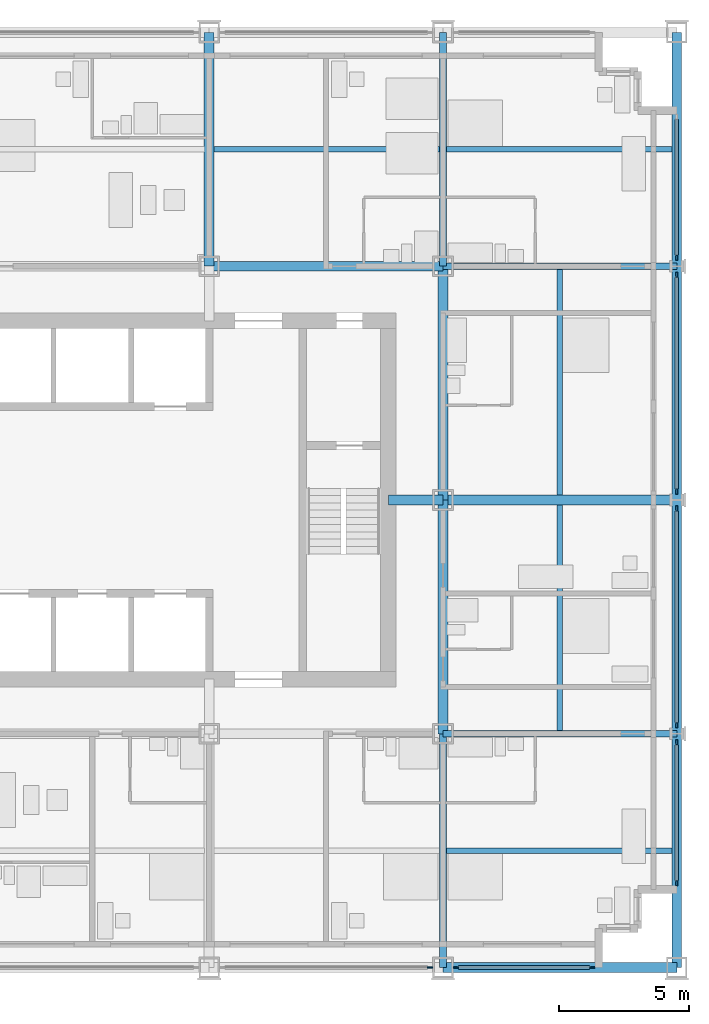
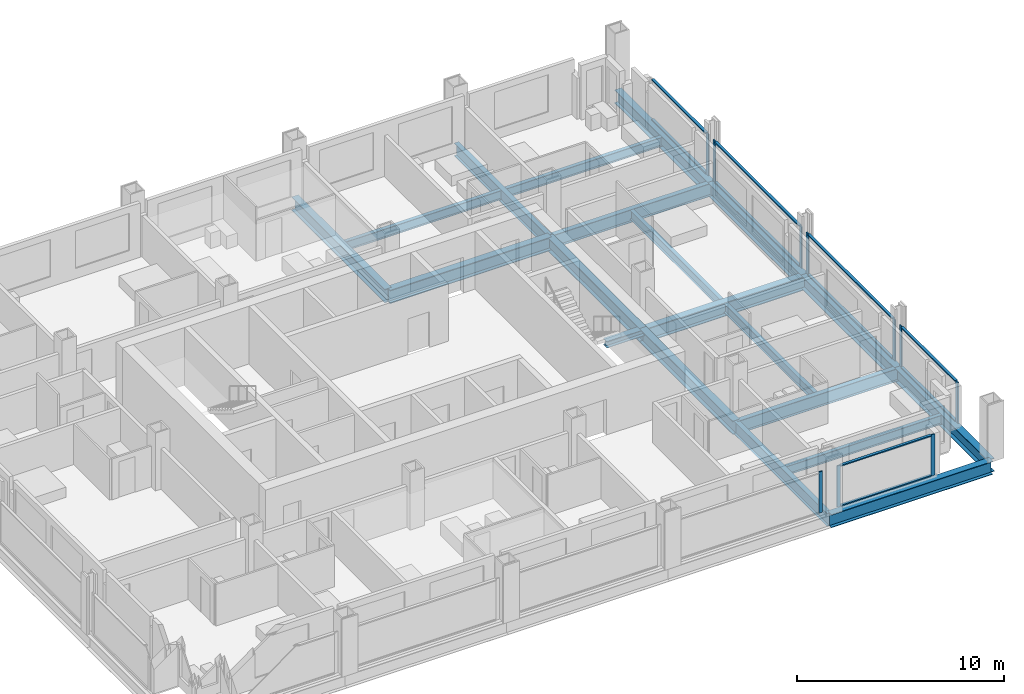
# One storey, part 5 of 16: 21 members, 19 beams, 6 elements without a shape of their own.
"""IFC4 building model written with IfcOpenShell, lengths in metres."""

from ifc_helpers import new_model, si_unit, direction, frame, origin, origin_2d, place, context, subcontext, project, spatial, rectangle, i_section, extrude, material, material_profile, profile_set, type_object, element, aggregate, save


model = new_model("IFC4")

# Units and contexts
model_context = context("Model", 3, precision=1e-05, world=origin(), true_north=direction((0.0, 1.0)))
body_context = subcontext(model_context, "Body", "Model", "MODEL_VIEW")
ifc_project = project(units=[si_unit("LENGTHUNIT", "METRE"), si_unit("AREAUNIT", "SQUARE_METRE"), si_unit("VOLUMEUNIT", "CUBIC_METRE"), si_unit("PLANEANGLEUNIT", "RADIAN"), si_unit("MASSUNIT", "GRAM", prefix="KILO")], contexts=[model_context])

# Site, building, storey
site_placement = place(None, origin())
site = spatial("IfcSite", under=ifc_project, at=site_placement, CompositionType="ELEMENT")
building_placement = place(site_placement, origin())
building = spatial("IfcBuilding", under=site, at=building_placement, Name="Loomwork Tower", CompositionType="ELEMENT")
storey_placement = place(building_placement, frame((0.0, 0.0, 118.0)))
storey = spatial("IfcBuildingStorey", under=building, at=storey_placement, Name="L31", CompositionType="ELEMENT", Elevation=118.0)

# Beams
ifc_material_1 = material(Name="Steel ASTM A992", Category="steel")
ifc_material_profile_1 = material_profile(ifc_material_1, i_section(OverallWidth=0.383544921875, OverallDepth=0.794921875, WebThickness=0.02099609375, FlangeThickness=0.0380859375, at=origin_2d()), Name="W30x235")
ifc_profile_set_1 = profile_set([ifc_material_profile_1], Name="Steel ASTM A992")
beam_type_1 = type_object("IfcBeamType", Name="CORE FLANK GIRDER W30x235", PredefinedType="BEAM", material=ifc_profile_set_1)
for number, where, z_axis, x_axis, name in (
    (1, (36.0, 18.0, -0.597412109375), (1.0, 0.0, 0.0), (0.0, 1.0, 0.0), "Core Flank Girder F/6-F/7 L31"),
    (2, (27.0, 27.0, -0.597412109375), (1.0, 0.0, 0.0), (0.0, 1.0, 0.0), "Core Flank Girder G/5-G/6 L31"),
    (3, (27.0, 27.0, -0.597412109375), (0.0, 1.0, 0.0), (-1.0, 0.0, 0.0), "Core Flank Girder G/5-H/5 L31"),
    (4, (36.0, 9.0, -0.597412109375), (0.0, 1.0, 0.0), (-1.0, 0.0, 0.0), "Core Flank Girder E/6-F/6 L31"),
    (5, (36.0, 18.0, -0.597412109375), (0.0, 1.0, 0.0), (-1.0, 0.0, 0.0), "Core Flank Girder F/6-G/6 L31"),
):
    element("IfcBeam", number, at=place(storey_placement, frame(where, z_axis=z_axis, x_axis=x_axis)), inside=storey, type_object=beam_type_1, Name=name, PredefinedType="BEAM", context=body_context, shape_type="SweptSolid", body=[
        extrude(i_section(OverallWidth=0.383544921875, OverallDepth=0.794921875, WebThickness=0.02099609375, FlangeThickness=0.0380859375, at=origin_2d()), origin(), (0.0, 0.0, 1.0), 9.0),
    ])

# Member
ifc_material_2 = material(Name="Steel ASTM A992", Category="steel")
ifc_material_profile_2 = material_profile(ifc_material_2, i_section(OverallWidth=0.373291015625, OverallDepth=0.373291015625, WebThickness=0.016357421875, FlangeThickness=0.026123046875, at=origin_2d()), Name="W14x132")
ifc_profile_set_2 = profile_set([ifc_material_profile_2], Name="Steel ASTM A992")
member_type_1 = type_object("IfcMemberType", Name="CORE LINK STRUT W14x132", PredefinedType="STRUT", material=ifc_profile_set_2)
member_1_placement = place(storey_placement, frame((36.0, 18.0, -0.38671875), z_axis=(-1.0, 0.0, 0.0), x_axis=(0.0, -1.0, 0.0)))
element("IfcMember", 6, at=member_1_placement, inside=storey, type_object=member_type_1, Name="Core link strut F/6-33.900,18.000 L31", PredefinedType="STRUT", context=body_context, shape_type="SweptSolid", body=[
    extrude(i_section(OverallWidth=0.373291015625, OverallDepth=0.373291015625, WebThickness=0.016357421875, FlangeThickness=0.026123046875, at=origin_2d()), origin(), (0.0, 0.0, 1.0), 2.10009765625),
])

# Beams
ifc_material_3 = material(Name="Steel ASTM A992", Category="steel")
ifc_material_profile_3 = material_profile(ifc_material_3, i_section(OverallWidth=0.2666015625, OverallDepth=0.761962890625, WebThickness=0.014404296875, FlangeThickness=0.021484375, at=origin_2d()), Name="W30x116")
ifc_profile_set_3 = profile_set([ifc_material_profile_3], Name="Steel ASTM A992")
beam_type_2 = type_object("IfcBeamType", Name="FLOOR GIRDER W30x116", PredefinedType="BEAM", material=ifc_profile_set_3)
for number, where, z_axis, x_axis, name in (
    (7, (36.0, 9.0, -0.5810546875), (1.0, 0.0, 0.0), (0.0, 1.0, 0.0), "Floor Girder E/6-E/7 L31"),
    (8, (36.0, 27.0, -0.5810546875), (1.0, 0.0, 0.0), (0.0, 1.0, 0.0), "Floor Girder G/6-G/7 L31"),
    (9, (36.0, 0.0, -0.5810546875), (0.0, 1.0, 0.0), (-1.0, 0.0, 0.0), "Floor Girder D/6-E/6 L31"),
    (10, (36.0, 27.0, -0.5810546875), (0.0, 1.0, 0.0), (-1.0, 0.0, 0.0), "Floor Girder G/6-H/6 L31"),
):
    element("IfcBeam", number, at=place(storey_placement, frame(where, z_axis=z_axis, x_axis=x_axis)), inside=storey, type_object=beam_type_2, Name=name, PredefinedType="BEAM", context=body_context, shape_type="SweptSolid", body=[
        extrude(i_section(OverallWidth=0.2666015625, OverallDepth=0.761962890625, WebThickness=0.014404296875, FlangeThickness=0.021484375, at=origin_2d()), origin(), (0.0, 0.0, 1.0), 9.0),
    ])
ifc_material_4 = material(Name="Steel ASTM A992", Category="steel")
ifc_material_profile_4 = material_profile(ifc_material_4, i_section(OverallWidth=0.2109375, OverallDepth=0.53857421875, WebThickness=0.011474609375, FlangeThickness=0.018798828125, at=origin_2d()), Name="W21x73")
ifc_profile_set_4 = profile_set([ifc_material_profile_4], Name="Steel ASTM A992")
beam_type_3 = type_object("IfcBeamType", Name="FLOOR JOIST W21x73", PredefinedType="JOIST", material=ifc_profile_set_4)
beam_1_placement = place(storey_placement, frame((27.19091796875, 31.5, -0.46923828125), z_axis=(1.0, 0.0, 0.0), x_axis=(0.0, 1.0, 0.0)))
element("IfcBeam", 11, at=beam_1_placement, inside=storey, type_object=beam_type_3, Name="Floor Joist 27.000,31.500-36.000,31.500 L31", PredefinedType="JOIST", context=body_context, shape_type="SweptSolid", body=[
    extrude(i_section(OverallWidth=0.2109375, OverallDepth=0.53857421875, WebThickness=0.011474609375, FlangeThickness=0.018798828125, at=origin_2d()), origin(), (0.0, 0.0, 1.0), 8.676025390625),
])
beam_2_placement = place(storey_placement, frame((36.133056640625, 4.5, -0.46923828125), z_axis=(1.0, 0.0, 0.0), x_axis=(0.0, 1.0, 0.0)))
element("IfcBeam", 12, at=beam_2_placement, inside=storey, type_object=beam_type_3, Name="Floor Joist 36.000,4.500-45.000,4.500 L31", PredefinedType="JOIST", context=body_context, shape_type="SweptSolid", body=[
    extrude(i_section(OverallWidth=0.2109375, OverallDepth=0.53857421875, WebThickness=0.011474609375, FlangeThickness=0.018798828125, at=origin_2d()), origin(), (0.0, 0.0, 1.0), 8.677001953125),
])
for number, where, z_axis, x_axis, name in (
    (13, (40.5, 9.133056640625, -0.46923828125), (0.0, 1.0, 0.0), (-1.0, 0.0, 0.0), "Floor Joist 40.500,9.000-40.500,18.000 L31"),
    (14, (40.5, 18.19091796875, -0.46923828125), (0.0, 1.0, 0.0), (-1.0, 0.0, 0.0), "Floor Joist 40.500,18.000-40.500,27.000 L31"),
):
    element("IfcBeam", number, at=place(storey_placement, frame(where, z_axis=z_axis, x_axis=x_axis)), inside=storey, type_object=beam_type_3, Name=name, PredefinedType="JOIST", context=body_context, shape_type="SweptSolid", body=[
        extrude(i_section(OverallWidth=0.2109375, OverallDepth=0.53857421875, WebThickness=0.011474609375, FlangeThickness=0.018798828125, at=origin_2d()), origin(), (0.0, 0.0, 1.0), 8.676025390625),
    ])
beam_3_placement = place(storey_placement, frame((36.133056640625, 31.5, -0.46923828125), z_axis=(1.0, 0.0, 0.0), x_axis=(0.0, 1.0, 0.0)))
element("IfcBeam", 15, at=beam_3_placement, inside=storey, type_object=beam_type_3, Name="Floor Joist 36.000,31.500-45.000,31.500 L31", PredefinedType="JOIST", context=body_context, shape_type="SweptSolid", body=[
    extrude(i_section(OverallWidth=0.2109375, OverallDepth=0.53857421875, WebThickness=0.011474609375, FlangeThickness=0.018798828125, at=origin_2d()), origin(), (0.0, 0.0, 1.0), 8.677001953125),
])

# Curtain wall, member
ifc_material_5 = material(Name="Aluminium curtain wall frame", Category="aluminium")
curtain_wall_type = type_object("IfcCurtainWallType", Name="Outer skin glazing hotel", PredefinedType="NOTDEFINED", material=ifc_material_5)
curtain_wall_1_placement = place(storey_placement, origin())
curtain_wall_1 = element("IfcCurtainWall", 16, at=curtain_wall_1_placement, inside=storey, type_object=curtain_wall_type, Name="Outer skin glazing hotel cw/S-27", PredefinedType="NOTDEFINED")
ifc_material_6 = material(Name="Aluminium curtain wall frame", Category="aluminium")
ifc_material_profile_5 = material_profile(ifc_material_6, rectangle(XDim=0.06494140625, YDim=0.199951171875, at=origin_2d()), Name="AL 65x200")
ifc_profile_set_5 = profile_set([ifc_material_profile_5], Name="Aluminium curtain wall frame")
member_type_2 = type_object("IfcMemberType", Name="Outer skin glazing hotel mullion", PredefinedType="MULLION", material=ifc_profile_set_5)
member_2_placement = place(storey_placement, frame((35.5, 0.0, 0.0), z_axis=(0.0, 0.0, 1.0), x_axis=(0.0, 1.0, 0.0)))
member_2 = element("IfcMember", 17, at=member_2_placement, type_object=member_type_2, Name="CW1 mullion 2", PredefinedType="MULLION", context=body_context, shape_type="SweptSolid", body=[
    extrude(rectangle(XDim=0.06494140625, YDim=0.199951171875, at=origin_2d()), origin(), (0.0, 0.0, 1.0), 2.420166015625),
])
aggregate(curtain_wall_1, [member_2])

# Curtain wall, members
curtain_wall_2_placement = place(storey_placement, origin())
curtain_wall_2 = element("IfcCurtainWall", 18, at=curtain_wall_2_placement, inside=storey, type_object=curtain_wall_type, Name="Outer skin glazing hotel cw/S-36", PredefinedType="NOTDEFINED")
member_3_placement = place(storey_placement, frame((36.5, 0.0, 0.0), z_axis=(0.0, 0.0, 1.0), x_axis=(0.0, 1.0, 0.0)))
member_3 = element("IfcMember", 19, at=member_3_placement, type_object=member_type_2, Name="CW1 mullion 1", PredefinedType="MULLION", context=body_context, shape_type="SweptSolid", body=[
    extrude(rectangle(XDim=0.06494140625, YDim=0.199951171875, at=origin_2d()), origin(), (0.0, 0.0, 1.0), 2.420166015625),
])
member_4_placement = place(storey_placement, frame((41.75, 0.0, 0.0), z_axis=(0.0, 0.0, 1.0), x_axis=(0.0, 1.0, 0.0)))
member_4 = element("IfcMember", 20, at=member_4_placement, type_object=member_type_2, Name="CW1 mullion 2", PredefinedType="MULLION", context=body_context, shape_type="SweptSolid", body=[
    extrude(rectangle(XDim=0.06494140625, YDim=0.199951171875, at=origin_2d()), origin(), (0.0, 0.0, 1.0), 2.420166015625),
])

curtain_wall_3_placement = place(storey_placement, origin())
curtain_wall_3 = element("IfcCurtainWall", 21, at=curtain_wall_3_placement, inside=storey, type_object=curtain_wall_type, Name="Outer skin glazing hotel cw/E-0", PredefinedType="NOTDEFINED")
member_5_placement = place(storey_placement, frame((45.0, 3.25, 0.0), z_axis=(0.0, 0.0, 1.0), x_axis=(-1.0, 0.0, 0.0)))
member_5 = element("IfcMember", 22, at=member_5_placement, type_object=member_type_2, Name="CW1 mullion 1", PredefinedType="MULLION", context=body_context, shape_type="SweptSolid", body=[
    extrude(rectangle(XDim=0.06494140625, YDim=0.199951171875, at=origin_2d()), origin(), (0.0, 0.0, 1.0), 2.420166015625),
])
member_6_placement = place(storey_placement, frame((45.0, 8.67529296875, 0.0), z_axis=(0.0, 0.0, 1.0), x_axis=(-1.0, 0.0, 0.0)))
member_6 = element("IfcMember", 23, at=member_6_placement, type_object=member_type_2, Name="CW1 mullion 2", PredefinedType="MULLION", context=body_context, shape_type="SweptSolid", body=[
    extrude(rectangle(XDim=0.06494140625, YDim=0.199951171875, at=origin_2d()), origin(), (0.0, 0.0, 1.0), 2.420166015625),
])

curtain_wall_4_placement = place(storey_placement, origin())
curtain_wall_4 = element("IfcCurtainWall", 24, at=curtain_wall_4_placement, inside=storey, type_object=curtain_wall_type, Name="Outer skin glazing hotel cw/E-9", PredefinedType="NOTDEFINED")
member_7_placement = place(storey_placement, frame((45.0, 9.32470703125, 0.0), z_axis=(0.0, 0.0, 1.0), x_axis=(-1.0, 0.0, 0.0)))
member_7 = element("IfcMember", 25, at=member_7_placement, type_object=member_type_2, Name="CW1 mullion 1", PredefinedType="MULLION", context=body_context, shape_type="SweptSolid", body=[
    extrude(rectangle(XDim=0.06494140625, YDim=0.199951171875, at=origin_2d()), origin(), (0.0, 0.0, 1.0), 2.420166015625),
])
member_8_placement = place(storey_placement, frame((45.0, 17.67529296875, 0.0), z_axis=(0.0, 0.0, 1.0), x_axis=(-1.0, 0.0, 0.0)))
member_8 = element("IfcMember", 26, at=member_8_placement, type_object=member_type_2, Name="CW1 mullion 2", PredefinedType="MULLION", context=body_context, shape_type="SweptSolid", body=[
    extrude(rectangle(XDim=0.06494140625, YDim=0.199951171875, at=origin_2d()), origin(), (0.0, 0.0, 1.0), 2.420166015625),
])

curtain_wall_5_placement = place(storey_placement, origin())
curtain_wall_5 = element("IfcCurtainWall", 27, at=curtain_wall_5_placement, inside=storey, type_object=curtain_wall_type, Name="Outer skin glazing hotel cw/E-18", PredefinedType="NOTDEFINED")
member_9_placement = place(storey_placement, frame((45.0, 18.32470703125, 0.0), z_axis=(0.0, 0.0, 1.0), x_axis=(-1.0, 0.0, 0.0)))
member_9 = element("IfcMember", 28, at=member_9_placement, type_object=member_type_2, Name="CW1 mullion 1", PredefinedType="MULLION", context=body_context, shape_type="SweptSolid", body=[
    extrude(rectangle(XDim=0.06494140625, YDim=0.199951171875, at=origin_2d()), origin(), (0.0, 0.0, 1.0), 2.420166015625),
])
member_10_placement = place(storey_placement, frame((45.0, 26.67529296875, 0.0), z_axis=(0.0, 0.0, 1.0), x_axis=(-1.0, 0.0, 0.0)))
member_10 = element("IfcMember", 29, at=member_10_placement, type_object=member_type_2, Name="CW1 mullion 2", PredefinedType="MULLION", context=body_context, shape_type="SweptSolid", body=[
    extrude(rectangle(XDim=0.06494140625, YDim=0.199951171875, at=origin_2d()), origin(), (0.0, 0.0, 1.0), 2.420166015625),
])

# Curtain wall, member
curtain_wall_6_placement = place(storey_placement, origin())
curtain_wall_6 = element("IfcCurtainWall", 30, at=curtain_wall_6_placement, inside=storey, type_object=curtain_wall_type, Name="Outer skin glazing hotel cw/E-27", PredefinedType="NOTDEFINED")
member_11_placement = place(storey_placement, frame((45.0, 27.32470703125, 0.0), z_axis=(0.0, 0.0, 1.0), x_axis=(-1.0, 0.0, 0.0)))
member_11 = element("IfcMember", 31, at=member_11_placement, type_object=member_type_2, Name="CW1 mullion 1", PredefinedType="MULLION", context=body_context, shape_type="SweptSolid", body=[
    extrude(rectangle(XDim=0.06494140625, YDim=0.199951171875, at=origin_2d()), origin(), (0.0, 0.0, 1.0), 2.420166015625),
])

# Member
ifc_material_7 = material(Name="Aluminium curtain wall frame", Category="aluminium")
ifc_material_profile_6 = material_profile(ifc_material_7, rectangle(XDim=0.14990234375, YDim=0.06494140625, at=origin_2d()), Name="AL 65x150")
ifc_profile_set_6 = profile_set([ifc_material_profile_6], Name="Aluminium curtain wall frame")
member_type_3 = type_object("IfcMemberType", Name="Outer skin glazing hotel transom", PredefinedType="USERDEFINED", material=ifc_profile_set_6)
member_12_placement = place(storey_placement, frame((36.60009765625, 0.0, 0.032470703125), z_axis=(1.0, 0.0, 0.0), x_axis=(0.0, 1.0, 0.0)))
member_12 = element("IfcMember", 32, at=member_12_placement, type_object=member_type_3, Name="CW1 transom 1.1", ObjectType="TRANSOM", PredefinedType="USERDEFINED", context=body_context, shape_type="SweptSolid", body=[
    extrude(rectangle(XDim=0.14990234375, YDim=0.06494140625, at=origin_2d()), origin(), (0.0, 0.0, 1.0), 5.0498046875),
])

member_13_placement = place(storey_placement, frame((36.60009765625, 0.0, 2.3876953125), z_axis=(1.0, 0.0, 0.0), x_axis=(0.0, 1.0, 0.0)))
member_13 = element("IfcMember", 33, at=member_13_placement, type_object=member_type_3, Name="CW1 transom 1.2", ObjectType="TRANSOM", PredefinedType="USERDEFINED", context=body_context, shape_type="SweptSolid", body=[
    extrude(rectangle(XDim=0.14990234375, YDim=0.06494140625, at=origin_2d()), origin(), (0.0, 0.0, 1.0), 5.0498046875),
])

aggregate(curtain_wall_2, [member_3, member_4, member_12, member_13])

member_14_placement = place(storey_placement, frame((45.0, 3.35009765625, 0.032470703125), z_axis=(0.0, 1.0, 0.0), x_axis=(-1.0, 0.0, 0.0)))
member_14 = element("IfcMember", 34, at=member_14_placement, type_object=member_type_3, Name="CW1 transom 1.1", ObjectType="TRANSOM", PredefinedType="USERDEFINED", context=body_context, shape_type="SweptSolid", body=[
    extrude(rectangle(XDim=0.14990234375, YDim=0.06494140625, at=origin_2d()), origin(), (0.0, 0.0, 1.0), 5.22509765625),
])

member_15_placement = place(storey_placement, frame((45.0, 3.35009765625, 2.3876953125), z_axis=(0.0, 1.0, 0.0), x_axis=(-1.0, 0.0, 0.0)))
member_15 = element("IfcMember", 35, at=member_15_placement, type_object=member_type_3, Name="CW1 transom 1.2", ObjectType="TRANSOM", PredefinedType="USERDEFINED", context=body_context, shape_type="SweptSolid", body=[
    extrude(rectangle(XDim=0.14990234375, YDim=0.06494140625, at=origin_2d()), origin(), (0.0, 0.0, 1.0), 5.22509765625),
])

aggregate(curtain_wall_3, [member_5, member_6, member_14, member_15])

member_16_placement = place(storey_placement, frame((45.0, 9.4248046875, 0.032470703125), z_axis=(0.0, 1.0, 0.0), x_axis=(-1.0, 0.0, 0.0)))
member_16 = element("IfcMember", 36, at=member_16_placement, type_object=member_type_3, Name="CW1 transom 1.1", ObjectType="TRANSOM", PredefinedType="USERDEFINED", context=body_context, shape_type="SweptSolid", body=[
    extrude(rectangle(XDim=0.14990234375, YDim=0.06494140625, at=origin_2d()), origin(), (0.0, 0.0, 1.0), 8.150390625),
])

member_17_placement = place(storey_placement, frame((45.0, 9.4248046875, 2.3876953125), z_axis=(0.0, 1.0, 0.0), x_axis=(-1.0, 0.0, 0.0)))
member_17 = element("IfcMember", 37, at=member_17_placement, type_object=member_type_3, Name="CW1 transom 1.2", ObjectType="TRANSOM", PredefinedType="USERDEFINED", context=body_context, shape_type="SweptSolid", body=[
    extrude(rectangle(XDim=0.14990234375, YDim=0.06494140625, at=origin_2d()), origin(), (0.0, 0.0, 1.0), 8.150390625),
])

aggregate(curtain_wall_4, [member_7, member_8, member_16, member_17])

member_18_placement = place(storey_placement, frame((45.0, 18.4248046875, 0.032470703125), z_axis=(0.0, 1.0, 0.0), x_axis=(-1.0, 0.0, 0.0)))
member_18 = element("IfcMember", 38, at=member_18_placement, type_object=member_type_3, Name="CW1 transom 1.1", ObjectType="TRANSOM", PredefinedType="USERDEFINED", context=body_context, shape_type="SweptSolid", body=[
    extrude(rectangle(XDim=0.14990234375, YDim=0.06494140625, at=origin_2d()), origin(), (0.0, 0.0, 1.0), 8.150390625),
])

member_19_placement = place(storey_placement, frame((45.0, 18.4248046875, 2.3876953125), z_axis=(0.0, 1.0, 0.0), x_axis=(-1.0, 0.0, 0.0)))
member_19 = element("IfcMember", 39, at=member_19_placement, type_object=member_type_3, Name="CW1 transom 1.2", ObjectType="TRANSOM", PredefinedType="USERDEFINED", context=body_context, shape_type="SweptSolid", body=[
    extrude(rectangle(XDim=0.14990234375, YDim=0.06494140625, at=origin_2d()), origin(), (0.0, 0.0, 1.0), 8.150390625),
])

aggregate(curtain_wall_5, [member_9, member_10, member_18, member_19])

member_20_placement = place(storey_placement, frame((45.0, 27.4248046875, 0.032470703125), z_axis=(0.0, 1.0, 0.0), x_axis=(-1.0, 0.0, 0.0)))
member_20 = element("IfcMember", 40, at=member_20_placement, type_object=member_type_3, Name="CW1 transom 1.1", ObjectType="TRANSOM", PredefinedType="USERDEFINED", context=body_context, shape_type="SweptSolid", body=[
    extrude(rectangle(XDim=0.14990234375, YDim=0.06494140625, at=origin_2d()), origin(), (0.0, 0.0, 1.0), 5.22509765625),
])

member_21_placement = place(storey_placement, frame((45.0, 27.4248046875, 2.3876953125), z_axis=(0.0, 1.0, 0.0), x_axis=(-1.0, 0.0, 0.0)))
member_21 = element("IfcMember", 41, at=member_21_placement, type_object=member_type_3, Name="CW1 transom 1.2", ObjectType="TRANSOM", PredefinedType="USERDEFINED", context=body_context, shape_type="SweptSolid", body=[
    extrude(rectangle(XDim=0.14990234375, YDim=0.06494140625, at=origin_2d()), origin(), (0.0, 0.0, 1.0), 5.22509765625),
])

aggregate(curtain_wall_6, [member_11, member_20, member_21])

# Beams
ifc_material_8 = material(Name="Steel ASTM A992", Category="steel")
ifc_material_profile_7 = material_profile(ifc_material_8, i_section(OverallWidth=0.381103515625, OverallDepth=0.77978515625, WebThickness=0.01806640625, FlangeThickness=0.0302734375, at=origin_2d()), Name="W30x191")
ifc_profile_set_7 = profile_set([ifc_material_profile_7], Name="Steel ASTM A992")
beam_type_4 = type_object("IfcBeamType", Name="SPANDREL GIRDER W30x191", PredefinedType="SPANDREL", material=ifc_profile_set_7)
for number, where, z_axis, x_axis, name in (
    (42, (36.0, 0.0, -0.58984375), (1.0, 0.0, 0.0), (0.0, 1.0, 0.0), "Spandrel Girder D/6-D/7 L31"),
    (43, (45.0, 0.0, -0.58984375), (0.0, 1.0, 0.0), (-1.0, 0.0, 0.0), "Spandrel Girder D/7-E/7 L31"),
    (44, (45.0, 9.0, -0.58984375), (0.0, 1.0, 0.0), (-1.0, 0.0, 0.0), "Spandrel Girder E/7-F/7 L31"),
    (45, (45.0, 18.0, -0.58984375), (0.0, 1.0, 0.0), (-1.0, 0.0, 0.0), "Spandrel Girder F/7-G/7 L31"),
    (46, (45.0, 27.0, -0.58984375), (0.0, 1.0, 0.0), (-1.0, 0.0, 0.0), "Spandrel Girder G/7-H/7 L31"),
):
    element("IfcBeam", number, at=place(storey_placement, frame(where, z_axis=z_axis, x_axis=x_axis)), inside=storey, type_object=beam_type_4, Name=name, PredefinedType="SPANDREL", context=body_context, shape_type="SweptSolid", body=[
        extrude(i_section(OverallWidth=0.381103515625, OverallDepth=0.77978515625, WebThickness=0.01806640625, FlangeThickness=0.0302734375, at=origin_2d()), origin(), (0.0, 0.0, 1.0), 9.0),
    ])

save(model, "model.ifc")
